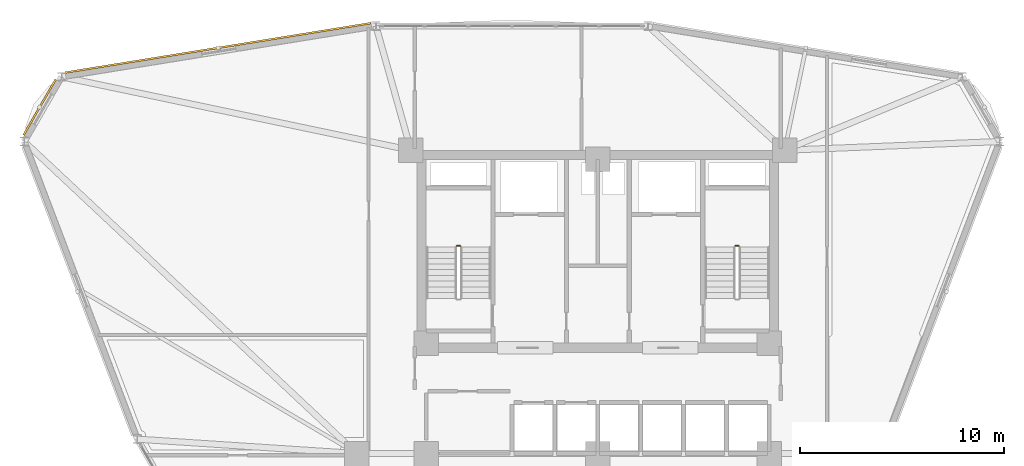
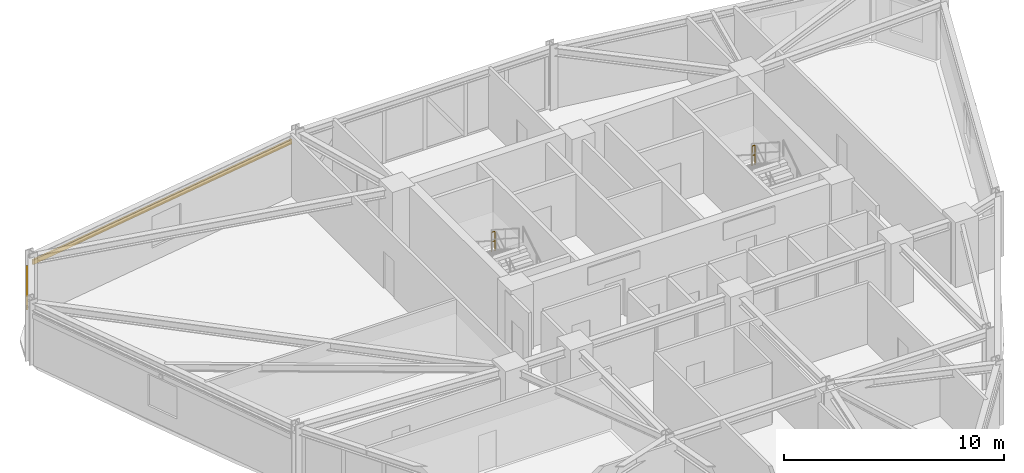
# One storey, part 17 of 18: 2 railings, 2 shading devices.
"""IFC4 building model written with IfcOpenShell, lengths in metres."""

from ifc_helpers import new_model, si_unit, derived_unit, direction, frame, origin, origin_2d, place, context, subcontext, project, spatial, hollow_rectangle, circle, extrude, source, transform, mapped, material, material_profile, profile_set, type_object, element, save


model = new_model("IFC4")

# Units and contexts
model_context = context("Model", 3, precision=1e-05, world=origin(), true_north=direction((0.0, 1.0)))
body_context = subcontext(model_context, "Body", "Model", "MODEL_VIEW")
ifc_project = project(units=[si_unit("LENGTHUNIT", "METRE"), si_unit("AREAUNIT", "SQUARE_METRE"), si_unit("VOLUMEUNIT", "CUBIC_METRE"), si_unit("PLANEANGLEUNIT", "RADIAN"), si_unit("MASSUNIT", "GRAM", prefix="KILO"), derived_unit("THERMALTRANSMITTANCEUNIT", [(si_unit("POWERUNIT", "WATT"), 1), (si_unit("LENGTHUNIT", "METRE"), -2), (si_unit("THERMODYNAMICTEMPERATUREUNIT", "KELVIN"), -1)])], contexts=[model_context])

# Site, building, storey
site_placement = place(None, origin())
site = spatial("IfcSite", under=ifc_project, at=site_placement, CompositionType="ELEMENT")
building_placement = place(site_placement, origin())
building = spatial("IfcBuilding", under=site, at=building_placement, Name="Korsvarv Bourse and Concert Hall", CompositionType="ELEMENT")
storey_placement = place(building_placement, frame((0.0, 0.0, 139.800048828125)))
storey = spatial("IfcBuildingStorey", under=building, at=storey_placement, Name="L35", CompositionType="ELEMENT", Elevation=139.800048828125)

# Railings
ifc_material_1 = material(Name="Painted Steel S355 stair well guardrail", Category="steel")
railing_type = type_object("IfcRailingType", Name="RL-ST-GRD", PredefinedType="GUARDRAIL", material=ifc_material_1)
for number, where, name in (
    (1, (29.260009765625, 42.570068359375, 1.800048828125), "L35 ST-T1 stair guard 2"),
    (2, (42.89990234375, 42.570068359375, 1.800048828125), "L35 ST-T2 stair guard 2"),
):
    element("IfcRailing", number, at=place(storey_placement, frame(where)), inside=storey, type_object=railing_type, Name=name, PredefinedType="GUARDRAIL", context=body_context, shape_type="SweptSolid", body=[
        extrude(circle(Radius=0.02392578125, at=origin_2d()), frame((0.0, 0.0, 1.076171875), z_axis=(-1.0, 0.0, 0.0), x_axis=(0.0, -1.0, 0.0)), (0.0, 0.0, 1.0), 0.159912109375),
        extrude(circle(Radius=0.02392578125, at=origin_2d()), frame((0.0, 0.0, 0.550048828125), z_axis=(-1.0, 0.0, 0.0), x_axis=(0.0, -1.0, 0.0)), (0.0, 0.0, 1.0), 0.159912109375),
        extrude(circle(Radius=0.02099609375, at=origin_2d()), origin(), (0.0, 0.0, 1.0), 1.052001953125),
        extrude(circle(Radius=0.02099609375, at=origin_2d()), frame((-0.159912109375, 0.0, 0.0)), (0.0, 0.0, 1.0), 1.052001953125),
    ])

# Shading devices
ifc_material_2 = material(Name="Glazed extruded architectural terracotta", Category="ceramic")
ifc_material_profile = material_profile(ifc_material_2, hollow_rectangle(XDim=0.090087890625, YDim=0.260009765625, WallThickness=0.011962890625, at=origin_2d()), Name="TC-BAG 90x260")
ifc_profile_set = profile_set([ifc_material_profile], Name="Glazed extruded architectural terracotta")
shading_device_type = type_object("IfcShadingDeviceType", Name="SHD-BAG-1", PredefinedType="USERDEFINED", material=ifc_profile_set)
shared_shape_1 = source(origin(), body_context, "Body", "SweptSolid", [
    extrude(hollow_rectangle(XDim=0.090087890625, YDim=0.260009765625, WallThickness=0.011962890625, at=origin_2d()), origin(), (0.0, 0.0, 1.0), 3.1455078125),
])
shading_device_1_placement = place(storey_placement, frame((9.454833984375, 50.717041015625, 2.83984375), z_axis=(-0.499995674689, -0.86602790099, 0.0), x_axis=(0.86602790099, -0.499995674689, 0.0)))
element("IfcShadingDevice", 3, at=shading_device_1_placement, inside=storey, type_object=shading_device_type, Name="L35 terracotta baguette sunshade EW-L35-B05", ObjectType="BAGUETTE", PredefinedType="USERDEFINED", context=body_context, shape_type="MappedRepresentation", body=[
    mapped(shared_shape_1, transform((0.0, 0.0, 0.0), scale=1.0)),
])
shared_shape_2 = source(origin(), body_context, "Body", "SweptSolid", [
    extrude(hollow_rectangle(XDim=0.090087890625, YDim=0.260009765625, WallThickness=0.011962890625, at=origin_2d()), origin(), (0.0, 0.0, 1.0), 15.16552734375),
])
shading_device_2_placement = place(storey_placement, frame((24.8974609375, 53.4755859375, 2.7900390625), z_axis=(-0.987168854166, -0.159679846455, 0.0), x_axis=(0.159679846455, -0.987168854166, 0.0)))
element("IfcShadingDevice", 4, at=shading_device_2_placement, inside=storey, type_object=shading_device_type, Name="L35 terracotta baguette sunshade EW-L35-B04", ObjectType="BAGUETTE", PredefinedType="USERDEFINED", context=body_context, shape_type="MappedRepresentation", body=[
    mapped(shared_shape_2, transform((0.0, 0.0, 0.0), scale=1.0)),
])

save(model, "model.ifc")
